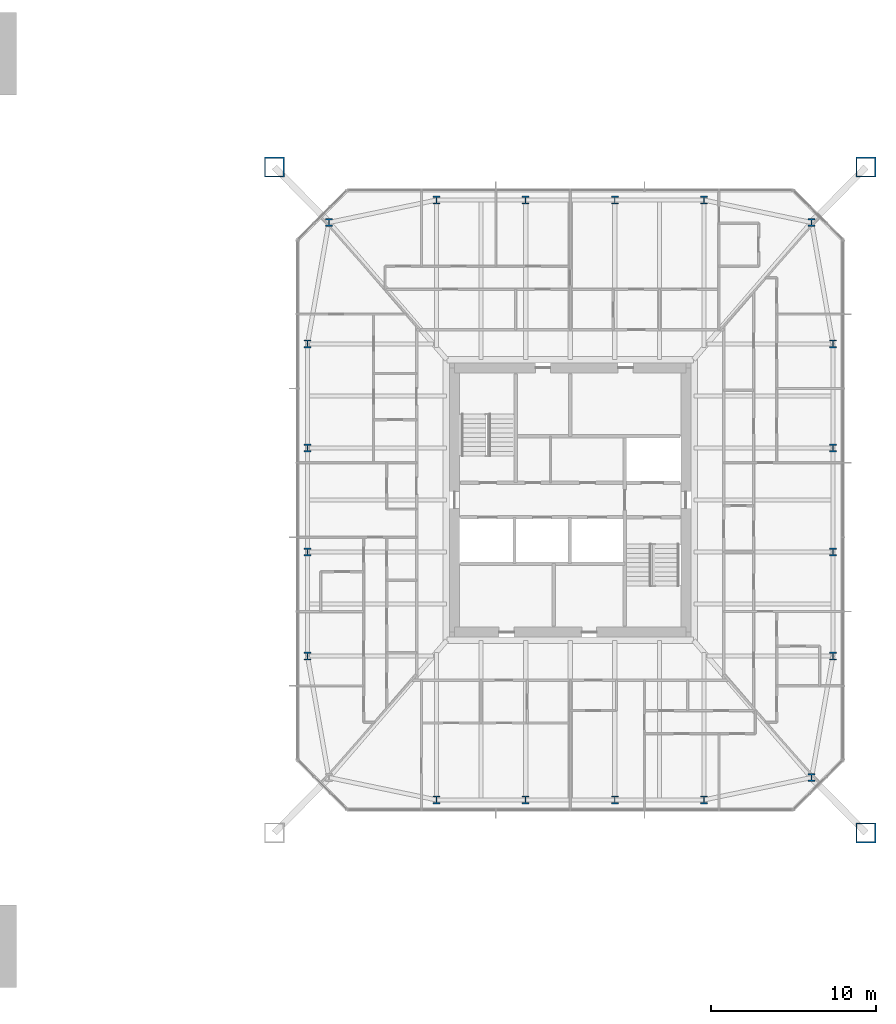
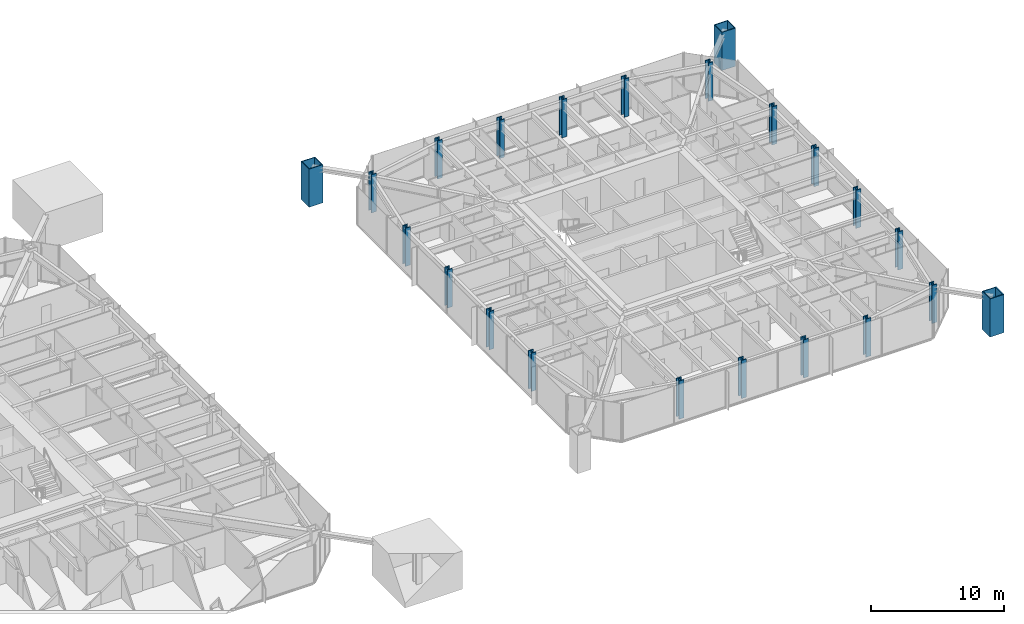
# One storey, part 2 of 26: 22 columns.
"""IFC4 building model written with IfcOpenShell, lengths in metres."""

from ifc_helpers import new_model, si_unit, direction, frame, origin, origin_2d, place, context, subcontext, project, spatial, hollow_rectangle, i_section, extrude, material, material_profile, profile_set, type_object, element, save


model = new_model("IFC4")

# Units and contexts
model_context = context("Model", 3, precision=1e-05, world=origin(), true_north=direction((0.0, 1.0)))
body_context = subcontext(model_context, "Body", "Model", "MODEL_VIEW")
ifc_project = project(units=[si_unit("LENGTHUNIT", "METRE"), si_unit("AREAUNIT", "SQUARE_METRE"), si_unit("VOLUMEUNIT", "CUBIC_METRE"), si_unit("PLANEANGLEUNIT", "RADIAN"), si_unit("MASSUNIT", "GRAM", prefix="KILO")], contexts=[model_context])

# Site, building, storey
site_placement = place(None, origin())
site = spatial("IfcSite", under=ifc_project, at=site_placement, CompositionType="ELEMENT")
building_placement = place(site_placement, origin())
building = spatial("IfcBuilding", under=site, at=building_placement, Name="Iwan Alto Co-Living Towers", CompositionType="ELEMENT")
storey_placement = place(building_placement, frame((0.0, 0.0, 57.0)))
storey = spatial("IfcBuildingStorey", under=building, at=storey_placement, Name="L15", CompositionType="ELEMENT", Elevation=57.0)

# Columns
ifc_material_1 = material(Name="Steel ASTM A572 Gr 50", Category="steel")
ifc_material_profile_1 = material_profile(ifc_material_1, hollow_rectangle(XDim=1.199951171875, YDim=1.199951171875, WallThickness=0.070068359375, at=origin_2d()), Name="BOX 1200X1200X70")
ifc_profile_set_1 = profile_set([ifc_material_profile_1], Name="Steel ASTM A572 Gr 50")
column_type_1 = type_object("IfcColumnType", Name="T2 MEGA COLUMN BOX 1200X1200X70", PredefinedType="COLUMN", material=ifc_profile_set_1)
for number, where, z_axis, x_axis, name in (
    (1, (80.89990234375, -20.14990234375, 0.0), (0.0, 0.0, 1.0), (1.0, 0.0, 0.0), "T2 mega column SE L15"),
    (2, (80.89990234375, 20.14990234375, 0.0), (0.0, 0.0, 1.0), (1.0, 0.0, 0.0), "T2 mega column NE L15"),
    (3, (45.10009765625, 20.14990234375, 0.0), (0.0, 0.0, 1.0), (1.0, 0.0, 0.0), "T2 mega column NW L15"),
):
    element("IfcColumn", number, at=place(storey_placement, frame(where, z_axis=z_axis, x_axis=x_axis)), inside=storey, type_object=column_type_1, Name=name, PredefinedType="COLUMN", context=body_context, shape_type="SweptSolid", body=[
        extrude(hollow_rectangle(XDim=1.199951171875, YDim=1.199951171875, WallThickness=0.070068359375, at=origin_2d()), origin(), (0.0, 0.0, 1.0), 3.5),
    ])
ifc_material_2 = material(Name="Steel ASTM A992 Gr 50", Category="steel")
ifc_material_profile_2 = material_profile(ifc_material_2, i_section(OverallWidth=0.424072265625, OverallDepth=0.47509765625, WebThickness=0.0478515625, FlangeThickness=0.0771484375, at=origin_2d()), Name="W14X426")
ifc_profile_set_2 = profile_set([ifc_material_profile_2], Name="Steel ASTM A992 Gr 50")
column_type_2 = type_object("IfcColumnType", Name="T2 RING COLUMN W14X426", PredefinedType="COLUMN", material=ifc_profile_set_2)
for number, where, z_axis, x_axis, name in (
    (4, (54.89990234375, -18.14990234375, 0.0), (0.0, 0.0, 1.0), (1.0, 0.0, 0.0), "T2 ring column S1 L15"),
    (5, (60.300048828125, -18.14990234375, 0.0), (0.0, 0.0, 1.0), (1.0, 0.0, 0.0), "T2 ring column S2 L15"),
    (6, (65.699951171875, -18.14990234375, 0.0), (0.0, 0.0, 1.0), (1.0, 0.0, 0.0), "T2 ring column S3 L15"),
    (7, (71.10009765625, -18.14990234375, 0.0), (0.0, 0.0, 1.0), (1.0, 0.0, 0.0), "T2 ring column S4 L15"),
    (8, (77.606201171875, -16.797119140625, 0.0), (0.0, 0.0, 1.0), (1.0, 0.0, 0.0), "T2 ring column CSE L15"),
    (9, (78.89990234375, -9.449951171875, 0.0), (0.0, 0.0, 1.0), (1.0, 0.0, 0.0), "T2 ring column E1 L15"),
    (10, (78.89990234375, -3.14990234375, 0.0), (0.0, 0.0, 1.0), (1.0, 0.0, 0.0), "T2 ring column E2 L15"),
    (11, (78.89990234375, 3.14990234375, 0.0), (0.0, 0.0, 1.0), (1.0, 0.0, 0.0), "T2 ring column E3 L15"),
    (12, (78.89990234375, 9.449951171875, 0.0), (0.0, 0.0, 1.0), (1.0, 0.0, 0.0), "T2 ring column E4 L15"),
    (13, (77.606201171875, 16.797119140625, 0.0), (0.0, 0.0, 1.0), (1.0, 0.0, 0.0), "T2 ring column CNE L15"),
    (14, (71.10009765625, 18.14990234375, 0.0), (0.0, 0.0, 1.0), (1.0, 0.0, 0.0), "T2 ring column N1 L15"),
    (15, (65.699951171875, 18.14990234375, 0.0), (0.0, 0.0, 1.0), (1.0, 0.0, 0.0), "T2 ring column N2 L15"),
    (16, (60.300048828125, 18.14990234375, 0.0), (0.0, 0.0, 1.0), (1.0, 0.0, 0.0), "T2 ring column N3 L15"),
    (17, (54.89990234375, 18.14990234375, 0.0), (0.0, 0.0, 1.0), (1.0, 0.0, 0.0), "T2 ring column N4 L15"),
    (18, (48.393798828125, 16.797119140625, 0.0), (0.0, 0.0, 1.0), (1.0, 0.0, 0.0), "T2 ring column CNW L15"),
    (19, (47.10009765625, 9.449951171875, 0.0), (0.0, 0.0, 1.0), (1.0, 0.0, 0.0), "T2 ring column W1 L15"),
    (20, (47.10009765625, 3.14990234375, 0.0), (0.0, 0.0, 1.0), (1.0, 0.0, 0.0), "T2 ring column W2 L15"),
    (21, (47.10009765625, -3.14990234375, 0.0), (0.0, 0.0, 1.0), (1.0, 0.0, 0.0), "T2 ring column W3 L15"),
    (22, (47.10009765625, -9.449951171875, 0.0), (0.0, 0.0, 1.0), (1.0, 0.0, 0.0), "T2 ring column W4 L15"),
):
    element("IfcColumn", number, at=place(storey_placement, frame(where, z_axis=z_axis, x_axis=x_axis)), inside=storey, type_object=column_type_2, Name=name, PredefinedType="COLUMN", context=body_context, shape_type="SweptSolid", body=[
        extrude(i_section(OverallWidth=0.424072265625, OverallDepth=0.47509765625, WebThickness=0.0478515625, FlangeThickness=0.0771484375, at=origin_2d()), origin(), (0.0, 0.0, 1.0), 3.5),
    ])

save(model, "model.ifc")
